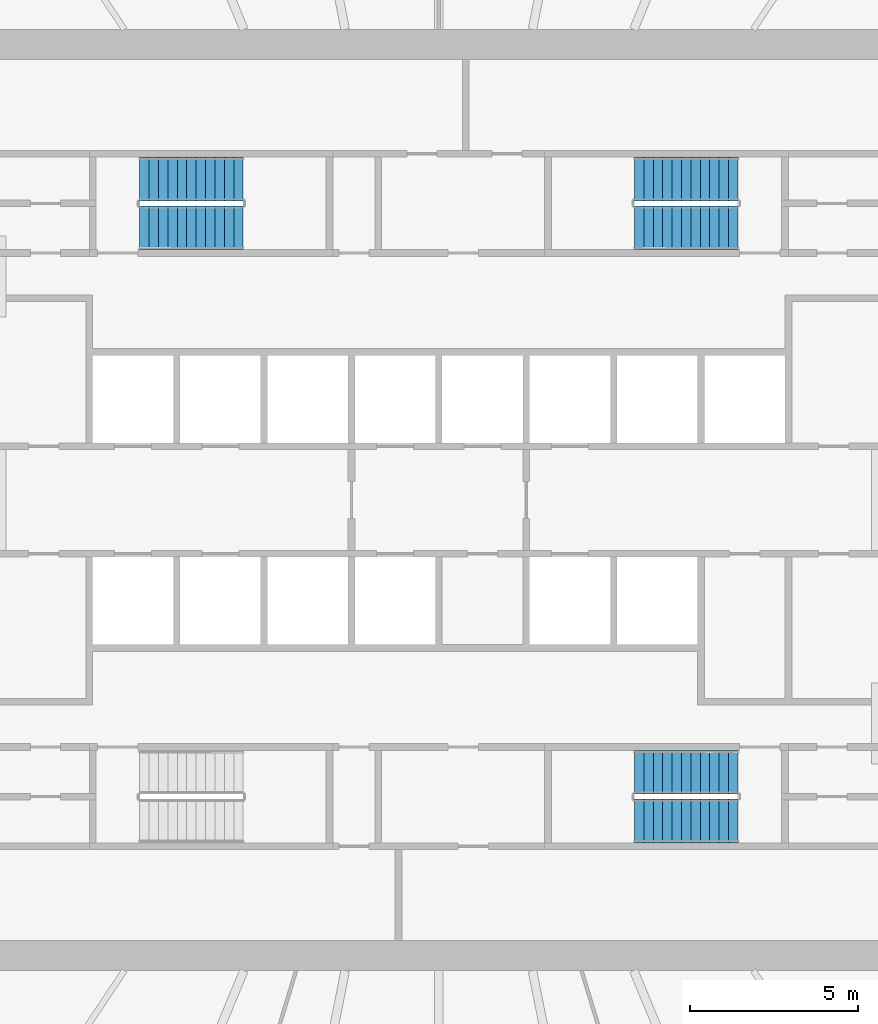
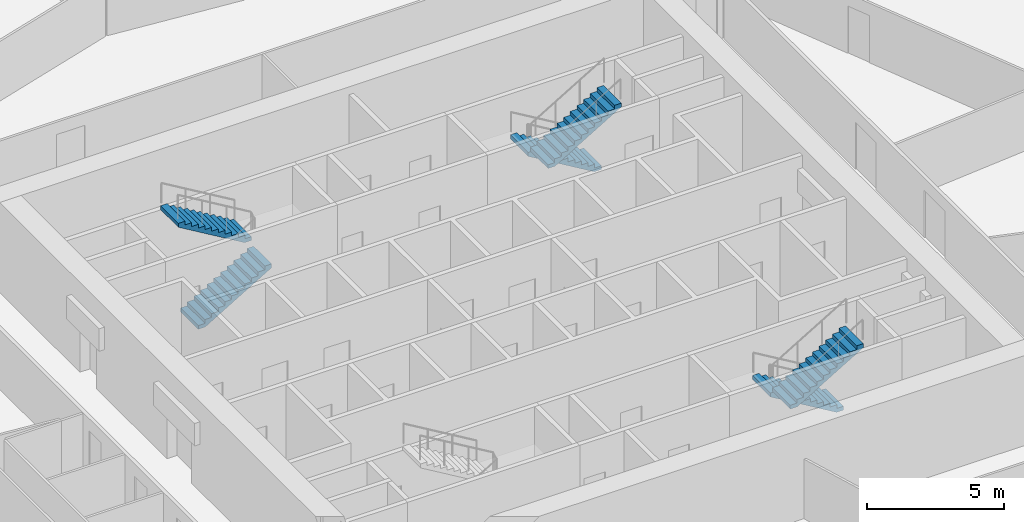
# One storey, part 8 of 9: 6 stair flights, 3 elements without a shape of their own.
"""IFC4 building model written with IfcOpenShell, lengths in metres."""

from ifc_helpers import new_model, si_unit, direction, frame, origin, place, context, subcontext, project, spatial, polyline, outline, extrude, material, type_object, element, aggregate, save


model = new_model("IFC4")

# Units and contexts
model_context = context("Model", 3, precision=1e-05, world=origin(), true_north=direction((0.0, 1.0)))
body_context = subcontext(model_context, "Body", "Model", "MODEL_VIEW")
ifc_project = project(units=[si_unit("LENGTHUNIT", "METRE"), si_unit("AREAUNIT", "SQUARE_METRE"), si_unit("VOLUMEUNIT", "CUBIC_METRE"), si_unit("PLANEANGLEUNIT", "RADIAN"), si_unit("MASSUNIT", "GRAM", prefix="KILO")], contexts=[model_context])

# Site, building, storey
site_placement = place(None, origin())
site = spatial("IfcSite", under=ifc_project, at=site_placement, CompositionType="ELEMENT")
building_placement = place(site_placement, origin())
building = spatial("IfcBuilding", under=site, at=building_placement, Name="Corvane Civic Tower", CompositionType="ELEMENT")
storey_placement = place(building_placement, frame((0.0, 0.0, 192.0)))
storey = spatial("IfcBuildingStorey", under=building, at=storey_placement, Name="L45", CompositionType="ELEMENT", Elevation=192.0)

# Stair, stair flights
ifc_material_1 = material(Name="Concrete C40/50", Category="concrete")
stair_type = type_object("IfcStairType", Name="ST-STAIR-HALFTURN", PredefinedType="HALF_TURN_STAIR", material=ifc_material_1)
stair_1_placement = place(storey_placement, origin())
stair_1 = element("IfcStair", 1, at=stair_1_placement, inside=storey, type_object=stair_type, Name="L45 Exit stair ST1", PredefinedType="HALF_TURN_STAIR")
ifc_material_2 = material(Name="Concrete C40/50", Category="concrete")
stair_flight_type = type_object("IfcStairFlightType", Name="ST-FLIGHT-RC", PredefinedType="STRAIGHT", material=ifc_material_2)
stair_flight_1_placement = place(storey_placement, frame((8.89990234375, 9.550048828125, 0.0), z_axis=(0.0, 0.0, 1.0), x_axis=(-1.0, 0.0, 0.0)))
stair_flight_1 = element("IfcStairFlight", 2, at=stair_flight_1_placement, type_object=stair_flight_type, Name="ST1 flight 1", NumberOfRisers=12, NumberOfTreads=11, PredefinedType="STRAIGHT", RiserHeight=0.166666667, TreadLength=0.28, context=body_context, shape_type="SweptSolid", body=[
    extrude(outline(polyline([(0.0, 0.0), (0.0, 0.166748046875), (0.280029296875, 0.166748046875), (0.280029296875, 0.333251953125), (0.56005859375, 0.333251953125), (0.56005859375, 0.5), (0.840087890625, 0.5), (0.840087890625, 0.666748046875), (1.1201171875, 0.666748046875), (1.1201171875, 0.833251953125), (1.39990234375, 0.833251953125), (1.39990234375, 1.0), (1.679931640625, 1.0), (1.679931640625, 1.166748046875), (1.9599609375, 1.166748046875), (1.9599609375, 1.333251953125), (2.239990234375, 1.333251953125), (2.239990234375, 1.5), (2.52001953125, 1.5), (2.52001953125, 1.666748046875), (2.800048828125, 1.666748046875), (2.800048828125, 1.833251953125), (3.080078125, 1.833251953125), (3.080078125, 2.0), (3.080078125, 1.658935546875), (0.29296875, 0.0), (0.0, 0.0)])), frame((0.0, 0.64990234375, 0.0), z_axis=(0.0, -1.0, 0.0), x_axis=(1.0, 0.0, 0.0)), (0.0, 0.0, 1.0), 1.300048828125),
])
stair_flight_2_placement = place(storey_placement, frame((5.820068359375, 8.10009765625, 2.0), z_axis=(0.0, 0.0, 1.0), x_axis=(1.0, 0.0, 0.0)))
stair_flight_2 = element("IfcStairFlight", 3, at=stair_flight_2_placement, type_object=stair_flight_type, Name="ST1 flight 2", NumberOfRisers=12, NumberOfTreads=11, PredefinedType="STRAIGHT", RiserHeight=0.166666667, TreadLength=0.28, context=body_context, shape_type="SweptSolid", body=[
    extrude(outline(polyline([(0.0, 0.0), (0.0, 0.166748046875), (0.280029296875, 0.166748046875), (0.280029296875, 0.333251953125), (0.56005859375, 0.333251953125), (0.56005859375, 0.5), (0.840087890625, 0.5), (0.840087890625, 0.666748046875), (1.1201171875, 0.666748046875), (1.1201171875, 0.833251953125), (1.39990234375, 0.833251953125), (1.39990234375, 1.0), (1.679931640625, 1.0), (1.679931640625, 1.166748046875), (1.9599609375, 1.166748046875), (1.9599609375, 1.333251953125), (2.239990234375, 1.333251953125), (2.239990234375, 1.5), (2.52001953125, 1.5), (2.52001953125, 1.666748046875), (2.800048828125, 1.666748046875), (2.800048828125, 1.833251953125), (3.080078125, 1.833251953125), (3.080078125, 2.0), (3.080078125, 1.658935546875), (0.29296875, 0.0), (0.0, 0.0)])), frame((0.0, 0.64990234375, 0.0), z_axis=(0.0, -1.0, 0.0), x_axis=(1.0, 0.0, 0.0)), (0.0, 0.0, 1.0), 1.300048828125),
])
aggregate(stair_1, [stair_flight_1, stair_flight_2])

stair_2_placement = place(storey_placement, origin())
stair_2 = element("IfcStair", 4, at=stair_2_placement, inside=storey, type_object=stair_type, Name="L45 Exit stair ST2", PredefinedType="HALF_TURN_STAIR")
stair_flight_3_placement = place(storey_placement, frame((8.89990234375, -8.10009765625, 0.0), z_axis=(0.0, 0.0, 1.0), x_axis=(-1.0, 0.0, 0.0)))
stair_flight_3 = element("IfcStairFlight", 5, at=stair_flight_3_placement, type_object=stair_flight_type, Name="ST2 flight 1", NumberOfRisers=12, NumberOfTreads=11, PredefinedType="STRAIGHT", RiserHeight=0.166666667, TreadLength=0.28, context=body_context, shape_type="SweptSolid", body=[
    extrude(outline(polyline([(0.0, 0.0), (0.0, 0.166748046875), (0.280029296875, 0.166748046875), (0.280029296875, 0.333251953125), (0.56005859375, 0.333251953125), (0.56005859375, 0.5), (0.840087890625, 0.5), (0.840087890625, 0.666748046875), (1.1201171875, 0.666748046875), (1.1201171875, 0.833251953125), (1.39990234375, 0.833251953125), (1.39990234375, 1.0), (1.679931640625, 1.0), (1.679931640625, 1.166748046875), (1.9599609375, 1.166748046875), (1.9599609375, 1.333251953125), (2.239990234375, 1.333251953125), (2.239990234375, 1.5), (2.52001953125, 1.5), (2.52001953125, 1.666748046875), (2.800048828125, 1.666748046875), (2.800048828125, 1.833251953125), (3.080078125, 1.833251953125), (3.080078125, 2.0), (3.080078125, 1.658935546875), (0.29296875, 0.0), (0.0, 0.0)])), frame((0.0, 0.64990234375, 0.0), z_axis=(0.0, -1.0, 0.0), x_axis=(1.0, 0.0, 0.0)), (0.0, 0.0, 1.0), 1.300048828125),
])
stair_flight_4_placement = place(storey_placement, frame((5.820068359375, -9.550048828125, 2.0), z_axis=(0.0, 0.0, 1.0), x_axis=(1.0, 0.0, 0.0)))
stair_flight_4 = element("IfcStairFlight", 6, at=stair_flight_4_placement, type_object=stair_flight_type, Name="ST2 flight 2", NumberOfRisers=12, NumberOfTreads=11, PredefinedType="STRAIGHT", RiserHeight=0.166666667, TreadLength=0.28, context=body_context, shape_type="SweptSolid", body=[
    extrude(outline(polyline([(0.0, 0.0), (0.0, 0.166748046875), (0.280029296875, 0.166748046875), (0.280029296875, 0.333251953125), (0.56005859375, 0.333251953125), (0.56005859375, 0.5), (0.840087890625, 0.5), (0.840087890625, 0.666748046875), (1.1201171875, 0.666748046875), (1.1201171875, 0.833251953125), (1.39990234375, 0.833251953125), (1.39990234375, 1.0), (1.679931640625, 1.0), (1.679931640625, 1.166748046875), (1.9599609375, 1.166748046875), (1.9599609375, 1.333251953125), (2.239990234375, 1.333251953125), (2.239990234375, 1.5), (2.52001953125, 1.5), (2.52001953125, 1.666748046875), (2.800048828125, 1.666748046875), (2.800048828125, 1.833251953125), (3.080078125, 1.833251953125), (3.080078125, 2.0), (3.080078125, 1.658935546875), (0.29296875, 0.0), (0.0, 0.0)])), frame((0.0, 0.64990234375, 0.0), z_axis=(0.0, -1.0, 0.0), x_axis=(1.0, 0.0, 0.0)), (0.0, 0.0, 1.0), 1.300048828125),
])
aggregate(stair_2, [stair_flight_3, stair_flight_4])

stair_3_placement = place(storey_placement, origin())
stair_3 = element("IfcStair", 7, at=stair_3_placement, inside=storey, type_object=stair_type, Name="L45 Exit stair ST4", PredefinedType="HALF_TURN_STAIR")
stair_flight_5_placement = place(storey_placement, frame((-8.89990234375, 8.10009765625, 0.0), z_axis=(0.0, 0.0, 1.0), x_axis=(1.0, 0.0, 0.0)))
stair_flight_5 = element("IfcStairFlight", 8, at=stair_flight_5_placement, type_object=stair_flight_type, Name="ST4 flight 1", NumberOfRisers=12, NumberOfTreads=11, PredefinedType="STRAIGHT", RiserHeight=0.166666667, TreadLength=0.28, context=body_context, shape_type="SweptSolid", body=[
    extrude(outline(polyline([(0.0, 0.0), (0.0, 0.166748046875), (0.280029296875, 0.166748046875), (0.280029296875, 0.333251953125), (0.56005859375, 0.333251953125), (0.56005859375, 0.5), (0.840087890625, 0.5), (0.840087890625, 0.666748046875), (1.1201171875, 0.666748046875), (1.1201171875, 0.833251953125), (1.39990234375, 0.833251953125), (1.39990234375, 1.0), (1.679931640625, 1.0), (1.679931640625, 1.166748046875), (1.9599609375, 1.166748046875), (1.9599609375, 1.333251953125), (2.239990234375, 1.333251953125), (2.239990234375, 1.5), (2.52001953125, 1.5), (2.52001953125, 1.666748046875), (2.800048828125, 1.666748046875), (2.800048828125, 1.833251953125), (3.080078125, 1.833251953125), (3.080078125, 2.0), (3.080078125, 1.658935546875), (0.29296875, 0.0), (0.0, 0.0)])), frame((0.0, 0.64990234375, 0.0), z_axis=(0.0, -1.0, 0.0), x_axis=(1.0, 0.0, 0.0)), (0.0, 0.0, 1.0), 1.300048828125),
])
stair_flight_6_placement = place(storey_placement, frame((-5.820068359375, 9.550048828125, 2.0), z_axis=(0.0, 0.0, 1.0), x_axis=(-1.0, 0.0, 0.0)))
stair_flight_6 = element("IfcStairFlight", 9, at=stair_flight_6_placement, type_object=stair_flight_type, Name="ST4 flight 2", NumberOfRisers=12, NumberOfTreads=11, PredefinedType="STRAIGHT", RiserHeight=0.166666667, TreadLength=0.28, context=body_context, shape_type="SweptSolid", body=[
    extrude(outline(polyline([(0.0, 0.0), (0.0, 0.166748046875), (0.280029296875, 0.166748046875), (0.280029296875, 0.333251953125), (0.56005859375, 0.333251953125), (0.56005859375, 0.5), (0.840087890625, 0.5), (0.840087890625, 0.666748046875), (1.1201171875, 0.666748046875), (1.1201171875, 0.833251953125), (1.39990234375, 0.833251953125), (1.39990234375, 1.0), (1.679931640625, 1.0), (1.679931640625, 1.166748046875), (1.9599609375, 1.166748046875), (1.9599609375, 1.333251953125), (2.239990234375, 1.333251953125), (2.239990234375, 1.5), (2.52001953125, 1.5), (2.52001953125, 1.666748046875), (2.800048828125, 1.666748046875), (2.800048828125, 1.833251953125), (3.080078125, 1.833251953125), (3.080078125, 2.0), (3.080078125, 1.658935546875), (0.29296875, 0.0), (0.0, 0.0)])), frame((0.0, 0.64990234375, 0.0), z_axis=(0.0, -1.0, 0.0), x_axis=(1.0, 0.0, 0.0)), (0.0, 0.0, 1.0), 1.300048828125),
])
aggregate(stair_3, [stair_flight_5, stair_flight_6])

save(model, "model.ifc")
